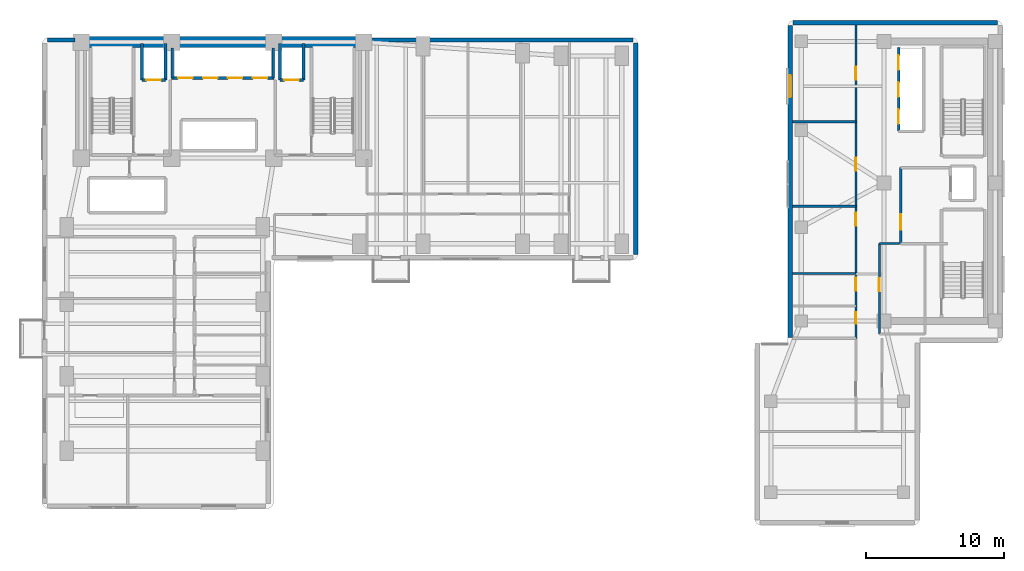
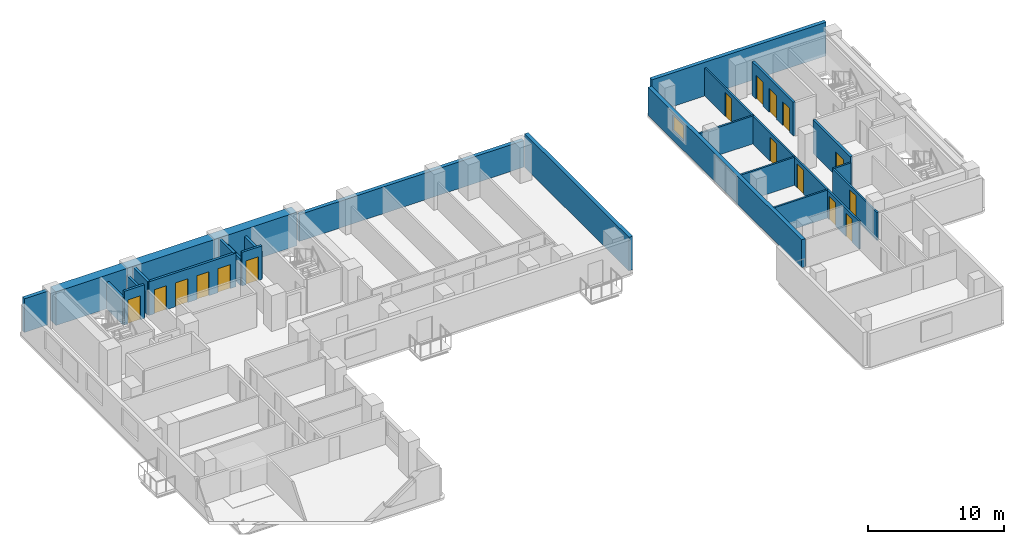
# One storey, part 12 of 17: 23 walls, 16 doors, 1 window, 17 openings.
"""IFC4 building model written with IfcOpenShell, lengths in metres."""

from ifc_helpers import new_model, si_unit, direction, frame, frame_2d, origin, place, context, subcontext, project, spatial, rectangle, extrude, material, layer, layer_set, type_object, element, fill, save


model = new_model("IFC4")

# Units and contexts
model_context = context("Model", 3, precision=1e-05, world=origin(), true_north=direction((0.0, 1.0)))
body_context = subcontext(model_context, "Body", "Model", "MODEL_VIEW")
ifc_project = project(units=[si_unit("LENGTHUNIT", "METRE"), si_unit("AREAUNIT", "SQUARE_METRE"), si_unit("VOLUMEUNIT", "CUBIC_METRE"), si_unit("PLANEANGLEUNIT", "RADIAN"), si_unit("MASSUNIT", "GRAM", prefix="KILO")], contexts=[model_context])

# Site, building, storey
site_placement = place(None, origin())
site = spatial("IfcSite", under=ifc_project, at=site_placement, CompositionType="ELEMENT")
building_placement = place(site_placement, origin())
building = spatial("IfcBuilding", under=site, at=building_placement, Name="Kuzgunbayir Cultural Tower", CompositionType="ELEMENT")
storey_placement = place(building_placement, frame((0.0, 0.0, 56.39990234375)))
storey = spatial("IfcBuildingStorey", under=building, at=storey_placement, Name="L15", CompositionType="ELEMENT", Elevation=56.39990234375)

# Walls
ifc_material_1 = material(Name="Concrete C60/75", Category="concrete")
ifc_layer_1 = layer(ifc_material_1, 0.800048828125)
ifc_layer_set_1 = layer_set([ifc_layer_1], Name="Concrete C60/75")
wall_type_1 = type_object("IfcWallType", Name="WAL-CORE-800", PredefinedType="SHEAR", material=ifc_layer_set_1)
wall_1_placement = place(storey_placement, frame((6.449951171875, 42.199951171875, 0.0), z_axis=(0.0, 0.0, 1.0), x_axis=(1.0, 0.0, 0.0)))
element("IfcWall", 1, at=wall_1_placement, inside=storey, type_object=wall_type_1, Name="L15 T1 Core North Shear Wall", PredefinedType="SHEAR", context=body_context, shape_type="SweptSolid", body=[
    extrude(rectangle(XDim=20.449951171875, YDim=0.800048828125, at=frame_2d((10.22509765625, 0.0))), origin(), (0.0, 0.0, 1.0), 3.02001953125),
])
ifc_material_2 = material(Name="Travertine Buff Ashlar", Category="masonry")
ifc_layer_2 = layer(ifc_material_2, 0.320068359375)
ifc_layer_set_2 = layer_set([ifc_layer_2], Name="Travertine Buff Ashlar")
wall_type_2 = type_object("IfcWallType", Name="WAL-EXT-STONE-320", PredefinedType="STANDARD", material=ifc_layer_set_2)
wall_2_placement = place(storey_placement, frame((46.39990234375, 42.35009765625, 0.0), z_axis=(0.0, 0.0, 1.0), x_axis=(-1.0, 0.0, 0.0)))
element("IfcWall", 2, at=wall_2_placement, inside=storey, type_object=wall_type_2, Name="L15 North Wing B Limestone Wall", PredefinedType="STANDARD", context=body_context, shape_type="SweptSolid", body=[
    extrude(rectangle(XDim=19.0498046875, YDim=0.320068359375, at=frame_2d((9.52490234375, 0.0))), origin(), (0.0, 0.0, 1.0), 2.400146484375),
])
wall_3_placement = place(storey_placement, frame((6.0, 42.35009765625, 0.0), z_axis=(0.0, 0.0, 1.0), x_axis=(-1.0, 0.0, 0.0)))
element("IfcWall", 3, at=wall_3_placement, inside=storey, type_object=wall_type_2, Name="L15 Core North-West Spandrel Link", PredefinedType="STANDARD", context=body_context, shape_type="SweptSolid", body=[
    extrude(rectangle(XDim=2.0, YDim=0.320068359375, at=frame_2d((1.0, 0.0))), origin(), (0.0, 0.0, 1.0), 3.02001953125),
])
wall_4_placement = place(storey_placement, frame((46.60009765625, 26.800048828125, 0.0), z_axis=(0.0, 0.0, 1.0), x_axis=(0.0, 1.0, 0.0)))
element("IfcWall", 4, at=wall_4_placement, inside=storey, type_object=wall_type_2, Name="L15 Wing B East Limestone Wall", PredefinedType="STANDARD", context=body_context, shape_type="SweptSolid", body=[
    extrude(rectangle(XDim=15.349853515625, YDim=0.320068359375, at=frame_2d((7.6748046875, 0.0))), origin(), (0.0, 0.0, 1.0), 3.02001953125),
])

# Wall, opening, window
wall_5_placement = place(storey_placement, frame((57.800048828125, 43.39990234375, 0.0), z_axis=(0.0, 0.0, 1.0), x_axis=(0.0, -1.0, 0.0)))
wall_5 = element("IfcWall", 5, at=wall_5_placement, inside=storey, type_object=wall_type_2, Name="L15 Companion West Limestone Wall", PredefinedType="STANDARD", context=body_context, shape_type="SweptSolid", body=[
    extrude(rectangle(XDim=22.599853515625, YDim=0.320068359375, at=frame_2d((11.2998046875, 0.0))), origin(), (0.0, 0.0, 1.0), 2.510009765625),
])
opening_1_placement = place(wall_5_placement, frame((3.60009765625, 0.0, 0.85009765625)))
opening_1 = element("IfcOpeningElement", 6, at=opening_1_placement, cuts=wall_5, Name="Opening WC-16", PredefinedType="OPENING", context=body_context, shape_type="SweptSolid", body=[
    extrude(rectangle(XDim=1.60009765625, YDim=1.360107421875, at=frame_2d((0.800048828125, 0.68017578125))), frame((0.0, 0.169921875, 0.0), z_axis=(0.0, -1.0, 0.0), x_axis=(1.0, 0.0, 0.0)), (0.0, 0.0, 1.0), 0.340087890625),
])
ifc_material_3 = material(Name="Solar-Control Triple Glazing", Category="glass")
window_type = type_object("IfcWindowType", Name="WIN-COMP-16", PartitioningType="SINGLE_PANEL", PredefinedType="WINDOW", material=ifc_material_3)
window_placement = place(opening_1_placement, origin())
window = element("IfcWindow", 7, at=window_placement, inside=storey, type_object=window_type, Name="L15 Companion West Window 39", OverallHeight=1.360107421875, OverallWidth=1.60009765625, PartitioningType="SINGLE_PANEL", PredefinedType="WINDOW", context=body_context, shape_type="SweptSolid", body=[
    extrude(rectangle(XDim=1.60009765625, YDim=1.360107421875, at=frame_2d((0.800048828125, 0.68017578125))), frame((0.0, 0.030029296875, 0.0), z_axis=(0.0, -1.0, 0.0), x_axis=(1.0, 0.0, 0.0)), (0.0, 0.0, 1.0), 0.06005859375),
])
fill(opening_1, window)

# Wall
wall_6_placement = place(storey_placement, frame((72.800048828125, 43.60009765625, 0.0), z_axis=(0.0, 0.0, 1.0), x_axis=(-1.0, 0.0, 0.0)))
element("IfcWall", 8, at=wall_6_placement, inside=storey, type_object=wall_type_2, Name="L15 Companion North Limestone Wall", PredefinedType="STANDARD", context=body_context, shape_type="SweptSolid", body=[
    extrude(rectangle(XDim=14.800048828125, YDim=0.320068359375, at=frame_2d((7.39990234375, 0.0))), origin(), (0.0, 0.0, 1.0), 3.02001953125),
])

# Wall, opening, door
ifc_material_4 = material(Name="Acoustic Double-Stud Drywall", Category="gypsum")
ifc_layer_3 = layer(ifc_material_4, 0.14990234375)
ifc_layer_set_3 = layer_set([ifc_layer_3], Name="Acoustic Double-Stud Drywall")
wall_type_3 = type_object("IfcWallType", Name="WAL-PART-ACOUSTIC-150", PredefinedType="PARTITIONING", material=ifc_layer_set_3)
wall_7_placement = place(storey_placement, frame((64.25, 21.050048828125, 0.0), z_axis=(0.0, 0.0, 1.0), x_axis=(0.0, 1.0, 0.0)))
wall_7 = element("IfcWall", 9, at=wall_7_placement, inside=storey, type_object=wall_type_3, Name="L15 Companion Archive West Wall", PredefinedType="PARTITIONING", context=body_context, shape_type="SweptSolid", body=[
    extrude(rectangle(XDim=6.550048828125, YDim=0.14990234375, at=frame_2d((3.27490234375, 0.0))), origin(), (0.0, 0.0, 1.0), 2.510009765625),
])
opening_2_placement = place(wall_7_placement, frame((3.10009765625, 0.0, 0.0)))
opening_2 = element("IfcOpeningElement", 10, at=opening_2_placement, cuts=wall_7, Name="Opening DI-90", PredefinedType="OPENING", context=body_context, shape_type="SweptSolid", body=[
    extrude(rectangle(XDim=0.949951171875, YDim=2.14990234375, at=frame_2d((0.47509765625, 1.074951171875))), frame((0.0, 0.0849609375, 0.0), z_axis=(0.0, -1.0, 0.0), x_axis=(1.0, 0.0, 0.0)), (0.0, 0.0, 1.0), 0.169921875),
])
ifc_material_5 = material(Name="Veneered Oak Single Leaf", Category="wood")
door_type_1 = type_object("IfcDoorType", Name="DR-INT-90", OperationType="NOTDEFINED", PredefinedType="DOOR", material=ifc_material_5)
door_1_placement = place(opening_2_placement, origin())
door_1 = element("IfcDoor", 11, at=door_1_placement, inside=storey, type_object=door_type_1, Name="L15 Companion Archive Door", OperationType="SINGLE_SWING_LEFT", OverallHeight=2.14990234375, OverallWidth=0.949951171875, PredefinedType="DOOR", context=body_context, shape_type="SweptSolid", body=[
    extrude(rectangle(XDim=0.949951171875, YDim=2.14990234375, at=frame_2d((0.47509765625, 1.074951171875))), frame((0.0, 0.02490234375, 0.0), z_axis=(0.0, -1.0, 0.0), x_axis=(1.0, 0.0, 0.0)), (0.0, 0.0, 1.0), 0.050048828125),
])
fill(opening_2, door_1)

# Wall
wall_8_placement = place(storey_placement, frame((64.25, 27.60009765625, 0.0), z_axis=(0.0, 0.0, 1.0), x_axis=(1.0, 0.0, 0.0)))
element("IfcWall", 12, at=wall_8_placement, inside=storey, type_object=wall_type_3, Name="L15 Companion Archive North Wall", PredefinedType="PARTITIONING", context=body_context, shape_type="SweptSolid", body=[
    extrude(rectangle(XDim=1.469970703125, YDim=0.14990234375, at=frame_2d((0.73486328125, 0.0))), origin(), (0.0, 0.0, 1.0), 2.510009765625),
])

# Wall, openings, doors
wall_9_placement = place(storey_placement, frame((62.550048828125, 20.75, 0.0), z_axis=(0.0, 0.0, 1.0), x_axis=(0.0, 1.0, 0.0)))
wall_9 = element("IfcWall", 13, at=wall_9_placement, inside=storey, type_object=wall_type_3, Name="L15 Companion Corridor West Wall", PredefinedType="PARTITIONING", context=body_context, shape_type="SweptSolid", body=[
    extrude(rectangle(XDim=22.699951171875, YDim=0.14990234375, at=frame_2d((11.35009765625, 0.0))), origin(), (0.0, 0.0, 1.0), 2.510009765625),
])
opening_3_placement = place(wall_9_placement, frame((1.050048828125, 0.0, 0.0)))
opening_3 = element("IfcOpeningElement", 14, at=opening_3_placement, cuts=wall_9, Name="Opening DW-85", PredefinedType="OPENING", context=body_context, shape_type="SweptSolid", body=[
    extrude(rectangle(XDim=0.85009765625, YDim=2.10009765625, at=frame_2d((0.425048828125, 1.050048828125))), frame((0.0, 0.0849609375, 0.0), z_axis=(0.0, -1.0, 0.0), x_axis=(1.0, 0.0, 0.0)), (0.0, 0.0, 1.0), 0.169921875),
])
opening_4_placement = place(wall_9_placement, frame((3.429931640625, 0.0, 0.0)))
opening_4 = element("IfcOpeningElement", 15, at=opening_4_placement, cuts=wall_9, Name="Opening DW-95", PredefinedType="OPENING", context=body_context, shape_type="SweptSolid", body=[
    extrude(rectangle(XDim=0.949951171875, YDim=2.10009765625, at=frame_2d((0.47509765625, 1.050048828125))), frame((0.0, 0.0849609375, 0.0), z_axis=(0.0, -1.0, 0.0), x_axis=(1.0, 0.0, 0.0)), (0.0, 0.0, 1.0), 0.169921875),
])
opening_5_placement = place(wall_9_placement, frame((8.14990234375, 0.0, 0.0)))
opening_5 = element("IfcOpeningElement", 16, at=opening_5_placement, cuts=wall_9, Name="Opening DI-90", PredefinedType="OPENING", context=body_context, shape_type="SweptSolid", body=[
    extrude(rectangle(XDim=0.949951171875, YDim=2.14990234375, at=frame_2d((0.47509765625, 1.074951171875))), frame((0.0, 0.0849609375, 0.0), z_axis=(0.0, -1.0, 0.0), x_axis=(1.0, 0.0, 0.0)), (0.0, 0.0, 1.0), 0.169921875),
])
opening_6_placement = place(wall_9_placement, frame((12.139892578125, 0.0, 0.0)))
opening_6 = element("IfcOpeningElement", 17, at=opening_6_placement, cuts=wall_9, Name="Opening DI-90", PredefinedType="OPENING", context=body_context, shape_type="SweptSolid", body=[
    extrude(rectangle(XDim=0.949951171875, YDim=2.14990234375, at=frame_2d((0.47509765625, 1.074951171875))), frame((0.0, 0.0849609375, 0.0), z_axis=(0.0, -1.0, 0.0), x_axis=(1.0, 0.0, 0.0)), (0.0, 0.0, 1.0), 0.169921875),
])
opening_7_placement = place(wall_9_placement, frame((18.7099609375, 0.0, 0.0)))
opening_7 = element("IfcOpeningElement", 18, at=opening_7_placement, cuts=wall_9, Name="Opening DI-90", PredefinedType="OPENING", context=body_context, shape_type="SweptSolid", body=[
    extrude(rectangle(XDim=0.949951171875, YDim=2.14990234375, at=frame_2d((0.47509765625, 1.074951171875))), frame((0.0, 0.0849609375, 0.0), z_axis=(0.0, -1.0, 0.0), x_axis=(1.0, 0.0, 0.0)), (0.0, 0.0, 1.0), 0.169921875),
])
door_2_placement = place(opening_5_placement, origin())
door_2 = element("IfcDoor", 19, at=door_2_placement, inside=storey, type_object=door_type_1, Name="L15 Companion Art Publication Salon 1 Door", OperationType="SINGLE_SWING_RIGHT", OverallHeight=2.14990234375, OverallWidth=0.949951171875, PredefinedType="DOOR", context=body_context, shape_type="SweptSolid", body=[
    extrude(rectangle(XDim=0.949951171875, YDim=2.14990234375, at=frame_2d((0.47509765625, 1.074951171875))), frame((0.0, 0.02490234375, 0.0), z_axis=(0.0, -1.0, 0.0), x_axis=(1.0, 0.0, 0.0)), (0.0, 0.0, 1.0), 0.050048828125),
])
fill(opening_5, door_2)
door_3_placement = place(opening_6_placement, origin())
door_3 = element("IfcDoor", 20, at=door_3_placement, inside=storey, type_object=door_type_1, Name="L15 Companion Curatorial Office 2 Door", OperationType="SINGLE_SWING_LEFT", OverallHeight=2.14990234375, OverallWidth=0.949951171875, PredefinedType="DOOR", context=body_context, shape_type="SweptSolid", body=[
    extrude(rectangle(XDim=0.949951171875, YDim=2.14990234375, at=frame_2d((0.47509765625, 1.074951171875))), frame((0.0, 0.02490234375, 0.0), z_axis=(0.0, -1.0, 0.0), x_axis=(1.0, 0.0, 0.0)), (0.0, 0.0, 1.0), 0.050048828125),
])
fill(opening_6, door_3)
door_4_placement = place(opening_7_placement, origin())
door_4 = element("IfcDoor", 21, at=door_4_placement, inside=storey, type_object=door_type_1, Name="L15 Companion Seminar Boardroom 3 Door", OperationType="SINGLE_SWING_RIGHT", OverallHeight=2.14990234375, OverallWidth=0.949951171875, PredefinedType="DOOR", context=body_context, shape_type="SweptSolid", body=[
    extrude(rectangle(XDim=0.949951171875, YDim=2.14990234375, at=frame_2d((0.47509765625, 1.074951171875))), frame((0.0, 0.02490234375, 0.0), z_axis=(0.0, -1.0, 0.0), x_axis=(1.0, 0.0, 0.0)), (0.0, 0.0, 1.0), 0.050048828125),
])
fill(opening_7, door_4)
ifc_material_6 = material(Name="Laminate Moisture-Resistant Leaf", Category="wood")
door_type_2 = type_object("IfcDoorType", Name="DR-WET-85", OperationType="NOTDEFINED", PredefinedType="DOOR", material=ifc_material_6)
door_5_placement = place(opening_3_placement, origin())
door_5 = element("IfcDoor", 22, at=door_5_placement, inside=storey, type_object=door_type_2, Name="L15 Companion WC Door", OperationType="SINGLE_SWING_RIGHT", OverallHeight=2.10009765625, OverallWidth=0.85009765625, PredefinedType="DOOR", context=body_context, shape_type="SweptSolid", body=[
    extrude(rectangle(XDim=0.85009765625, YDim=2.10009765625, at=frame_2d((0.425048828125, 1.050048828125))), frame((0.0, 0.02490234375, 0.0), z_axis=(0.0, -1.0, 0.0), x_axis=(1.0, 0.0, 0.0)), (0.0, 0.0, 1.0), 0.050048828125),
])
fill(opening_3, door_5)
door_type_3 = type_object("IfcDoorType", Name="DR-WET-95", OperationType="NOTDEFINED", PredefinedType="DOOR", material=ifc_material_6)
door_6_placement = place(opening_4_placement, origin())
door_6 = element("IfcDoor", 23, at=door_6_placement, inside=storey, type_object=door_type_3, Name="L15 Companion Accessible WC Door", OperationType="SINGLE_SWING_LEFT", OverallHeight=2.10009765625, OverallWidth=0.949951171875, PredefinedType="DOOR", context=body_context, shape_type="SweptSolid", body=[
    extrude(rectangle(XDim=0.949951171875, YDim=2.10009765625, at=frame_2d((0.47509765625, 1.050048828125))), frame((0.0, 0.02490234375, 0.0), z_axis=(0.0, -1.0, 0.0), x_axis=(1.0, 0.0, 0.0)), (0.0, 0.0, 1.0), 0.050048828125),
])
fill(opening_4, door_6)

# Walls
for number, where, z_axis, x_axis, name in (
    (24, (57.949951171875, 30.31005859375, 0.0), (0.0, 0.0, 1.0), (1.0, 0.0, 0.0), "L15 Companion Studio Partition 1"),
    (25, (57.949951171875, 36.429931640625, 0.0), (0.0, 0.0, 1.0), (1.0, 0.0, 0.0), "L15 Companion Studio Partition 2"),
):
    element("IfcWall", number, at=place(storey_placement, frame(where, z_axis=z_axis, x_axis=x_axis)), inside=storey, type_object=wall_type_3, Name=name, PredefinedType="PARTITIONING", context=body_context, shape_type="SweptSolid", body=[
        extrude(rectangle(XDim=4.60009765625, YDim=0.14990234375, at=frame_2d((2.300048828125, 0.0))), origin(), (0.0, 0.0, 1.0), 2.510009765625),
    ])

# Wall, opening, door
ifc_material_7 = material(Name="Aerated Concrete Blockwork", Category="masonry")
ifc_layer_4 = layer(ifc_material_7, 0.199951171875)
ifc_layer_set_4 = layer_set([ifc_layer_4], Name="Aerated Concrete Blockwork")
wall_type_4 = type_object("IfcWallType", Name="WAL-PART-FIRE-200", PredefinedType="PARTITIONING", material=ifc_layer_set_4)
wall_10_placement = place(storey_placement, frame((65.800048828125, 27.60009765625, 0.0), z_axis=(0.0, 0.0, 1.0), x_axis=(0.0, 1.0, 0.0)))
wall_10 = element("IfcWall", 26, at=wall_10_placement, inside=storey, type_object=wall_type_4, Name="L15 FFL-3 Lobby West Fire Wall", PredefinedType="PARTITIONING", context=body_context, shape_type="SweptSolid", body=[
    extrude(rectangle(XDim=5.5, YDim=0.199951171875, at=frame_2d((2.75, 0.0))), origin(), (0.0, 0.0, 1.0), 3.02001953125),
])
opening_8_placement = place(wall_10_placement, frame((1.0, 0.0, 0.0)))
opening_8 = element("IfcOpeningElement", 27, at=opening_8_placement, cuts=wall_10, Name="Opening DR-FFL-90", PredefinedType="OPENING", context=body_context, shape_type="SweptSolid", body=[
    extrude(rectangle(XDim=1.14990234375, YDim=2.14990234375, at=frame_2d((0.574951171875, 1.074951171875))), frame((0.0, 0.10986328125, 0.0), z_axis=(0.0, -1.0, 0.0), x_axis=(1.0, 0.0, 0.0)), (0.0, 0.0, 1.0), 0.219970703125),
])
ifc_material_8 = material(Name="Steel S355J2", Category="steel")
door_type_4 = type_object("IfcDoorType", Name="DR-FFL-90", OperationType="NOTDEFINED", PredefinedType="DOOR", material=ifc_material_8)
door_7_placement = place(opening_8_placement, origin())
door_7 = element("IfcDoor", 28, at=door_7_placement, inside=storey, type_object=door_type_4, Name="L15 Firefighting Lobby 3 Door", OperationType="SINGLE_SWING_RIGHT", OverallHeight=2.14990234375, OverallWidth=1.14990234375, PredefinedType="DOOR", context=body_context, shape_type="SweptSolid", body=[
    extrude(rectangle(XDim=1.14990234375, YDim=2.14990234375, at=frame_2d((0.574951171875, 1.074951171875))), frame((0.0, 0.02490234375, 0.0), z_axis=(0.0, -1.0, 0.0), x_axis=(1.0, 0.0, 0.0)), (0.0, 0.0, 1.0), 0.050048828125),
])
fill(opening_8, door_7)

# Wall
ifc_material_9 = material(Name="Moisture-Resistant Tile Partition", Category="gypsum")
ifc_layer_5 = layer(ifc_material_9, 0.14990234375)
ifc_layer_set_5 = layer_set([ifc_layer_5], Name="Moisture-Resistant Tile Partition")
wall_type_5 = type_object("IfcWallType", Name="WAL-PART-WET-150", PredefinedType="PARTITIONING", material=ifc_layer_set_5)
wall_11_placement = place(storey_placement, frame((57.949951171875, 25.449951171875, 0.0), z_axis=(0.0, 0.0, 1.0), x_axis=(1.0, 0.0, 0.0)))
element("IfcWall", 29, at=wall_11_placement, inside=storey, type_object=wall_type_5, Name="L15 Companion Accessible WC Wall", PredefinedType="PARTITIONING", context=body_context, shape_type="SweptSolid", body=[
    extrude(rectangle(XDim=4.60009765625, YDim=0.14990234375, at=frame_2d((2.300048828125, 0.0))), origin(), (0.0, 0.0, 1.0), 2.510009765625),
])

# Wall, opening, door
ifc_material_10 = material(Name="Concrete C40/50", Category="concrete")
ifc_layer_6 = layer(ifc_material_10, 0.199951171875)
ifc_layer_set_6 = layer_set([ifc_layer_6], Name="Concrete C40/50")
wall_type_6 = type_object("IfcWallType", Name="WAL-SHAFT-200", PredefinedType="MOVABLE", material=ifc_layer_set_6)
wall_12_placement = place(storey_placement, frame((10.85009765625, 39.449951171875, 0.0), z_axis=(0.0, 0.0, 1.0), x_axis=(1.0, 0.0, 0.0)))
wall_12 = element("IfcWall", 30, at=wall_12_placement, inside=storey, type_object=wall_type_6, Name="L15 FFL-1 Lift Front Wall", PredefinedType="MOVABLE", context=body_context, shape_type="SweptSolid", body=[
    extrude(rectangle(XDim=1.699951171875, YDim=0.199951171875, at=frame_2d((0.85009765625, 0.0))), origin(), (0.0, 0.0, 1.0), 3.02001953125),
])
opening_9_placement = place(wall_12_placement, frame((0.320068359375, 0.0, 0.0)))
opening_9 = element("IfcOpeningElement", 31, at=opening_9_placement, cuts=wall_12, Name="Opening LD", PredefinedType="OPENING", context=body_context, shape_type="SweptSolid", body=[
    extrude(rectangle(XDim=1.050048828125, YDim=2.14990234375, at=frame_2d((0.52490234375, 1.074951171875))), frame((0.0, 0.10986328125, 0.0), z_axis=(0.0, -1.0, 0.0), x_axis=(1.0, 0.0, 0.0)), (0.0, 0.0, 1.0), 0.219970703125),
])
ifc_material_11 = material(Name="Brushed Stainless Steel", Category="steel")
door_type_5 = type_object("IfcDoorType", Name="DR-LIFT-LANDING", OperationType="SLIDING_TO_LEFT", PredefinedType="DOOR", material=ifc_material_11)
door_8_placement = place(opening_9_placement, origin())
door_8 = element("IfcDoor", 32, at=door_8_placement, inside=storey, type_object=door_type_5, Name="L15 Lift FFL-1 Landing Door", OperationType="SLIDING_TO_LEFT", OverallHeight=2.14990234375, OverallWidth=1.050048828125, PredefinedType="DOOR", context=body_context, shape_type="SweptSolid", body=[
    extrude(rectangle(XDim=1.050048828125, YDim=2.14990234375, at=frame_2d((0.52490234375, 1.074951171875))), frame((0.0, 0.02490234375, 0.0), z_axis=(0.0, -1.0, 0.0), x_axis=(1.0, 0.0, 0.0)), (0.0, 0.0, 1.0), 0.050048828125),
])
fill(opening_9, door_8)

wall_13_placement = place(storey_placement, frame((20.85009765625, 39.449951171875, 0.0), z_axis=(0.0, 0.0, 1.0), x_axis=(1.0, 0.0, 0.0)))
wall_13 = element("IfcWall", 33, at=wall_13_placement, inside=storey, type_object=wall_type_6, Name="L15 FFL-2 Lift Front Wall", PredefinedType="MOVABLE", context=body_context, shape_type="SweptSolid", body=[
    extrude(rectangle(XDim=1.699951171875, YDim=0.199951171875, at=frame_2d((0.85009765625, 0.0))), origin(), (0.0, 0.0, 1.0), 3.02001953125),
])
opening_10_placement = place(wall_13_placement, frame((0.320068359375, 0.0, 0.0)))
opening_10 = element("IfcOpeningElement", 34, at=opening_10_placement, cuts=wall_13, Name="Opening LD", PredefinedType="OPENING", context=body_context, shape_type="SweptSolid", body=[
    extrude(rectangle(XDim=1.050048828125, YDim=2.14990234375, at=frame_2d((0.52490234375, 1.074951171875))), frame((0.0, 0.10986328125, 0.0), z_axis=(0.0, -1.0, 0.0), x_axis=(1.0, 0.0, 0.0)), (0.0, 0.0, 1.0), 0.219970703125),
])
door_9_placement = place(opening_10_placement, origin())
door_9 = element("IfcDoor", 35, at=door_9_placement, inside=storey, type_object=door_type_5, Name="L15 Lift FFL-2 Landing Door", OperationType="SLIDING_TO_LEFT", OverallHeight=2.14990234375, OverallWidth=1.050048828125, PredefinedType="DOOR", context=body_context, shape_type="SweptSolid", body=[
    extrude(rectangle(XDim=1.050048828125, YDim=2.14990234375, at=frame_2d((0.52490234375, 1.074951171875))), frame((0.0, 0.02490234375, 0.0), z_axis=(0.0, -1.0, 0.0), x_axis=(1.0, 0.0, 0.0)), (0.0, 0.0, 1.0), 0.050048828125),
])
fill(opening_10, door_9)

# Walls
for number, where, z_axis, x_axis, name in (
    (36, (10.85009765625, 39.449951171875, 0.0), (0.0, 0.0, 1.0), (0.0, 1.0, 0.0), "L15 FFL-1 Shaft West Wall"),
    (37, (12.550048828125, 39.449951171875, 0.0), (0.0, 0.0, 1.0), (0.0, 1.0, 0.0), "L15 FFL-1 Shaft East Wall"),
    (38, (20.85009765625, 39.449951171875, 0.0), (0.0, 0.0, 1.0), (0.0, 1.0, 0.0), "L15 FFL-2 Shaft West Wall"),
    (39, (22.550048828125, 39.449951171875, 0.0), (0.0, 0.0, 1.0), (0.0, 1.0, 0.0), "L15 FFL-2 Shaft East Wall"),
):
    element("IfcWall", number, at=place(storey_placement, frame(where, z_axis=z_axis, x_axis=x_axis)), inside=storey, type_object=wall_type_6, Name=name, PredefinedType="MOVABLE", context=body_context, shape_type="SweptSolid", body=[
        extrude(rectangle(XDim=2.650146484375, YDim=0.199951171875, at=frame_2d((1.3251953125, 0.0))), origin(), (0.0, 0.0, 1.0), 2.400146484375),
    ])

# Wall, openings, doors
wall_14_placement = place(storey_placement, frame((13.0, 39.60009765625, 0.0), z_axis=(0.0, 0.0, 1.0), x_axis=(1.0, 0.0, 0.0)))
wall_14 = element("IfcWall", 40, at=wall_14_placement, inside=storey, type_object=wall_type_6, Name="L15 Low-Rise Lift Front Wall", PredefinedType="MOVABLE", context=body_context, shape_type="SweptSolid", body=[
    extrude(rectangle(XDim=7.39990234375, YDim=0.199951171875, at=frame_2d((3.699951171875, 0.0))), origin(), (0.0, 0.0, 1.0), 3.02001953125),
])
opening_11_placement = place(wall_14_placement, frame((0.469970703125, 0.0, 0.0)))
opening_11 = element("IfcOpeningElement", 41, at=opening_11_placement, cuts=wall_14, Name="Opening LD", PredefinedType="OPENING", context=body_context, shape_type="SweptSolid", body=[
    extrude(rectangle(XDim=1.050048828125, YDim=2.14990234375, at=frame_2d((0.52490234375, 1.074951171875))), frame((0.0, 0.10986328125, 0.0), z_axis=(0.0, -1.0, 0.0), x_axis=(1.0, 0.0, 0.0)), (0.0, 0.0, 1.0), 0.219970703125),
])
opening_12_placement = place(wall_14_placement, frame((2.280029296875, 0.0, 0.0)))
opening_12 = element("IfcOpeningElement", 42, at=opening_12_placement, cuts=wall_14, Name="Opening LD", PredefinedType="OPENING", context=body_context, shape_type="SweptSolid", body=[
    extrude(rectangle(XDim=1.050048828125, YDim=2.14990234375, at=frame_2d((0.52490234375, 1.074951171875))), frame((0.0, 0.10986328125, 0.0), z_axis=(0.0, -1.0, 0.0), x_axis=(1.0, 0.0, 0.0)), (0.0, 0.0, 1.0), 0.219970703125),
])
opening_13_placement = place(wall_14_placement, frame((4.080078125, 0.0, 0.0)))
opening_13 = element("IfcOpeningElement", 43, at=opening_13_placement, cuts=wall_14, Name="Opening LD", PredefinedType="OPENING", context=body_context, shape_type="SweptSolid", body=[
    extrude(rectangle(XDim=1.050048828125, YDim=2.14990234375, at=frame_2d((0.52490234375, 1.074951171875))), frame((0.0, 0.10986328125, 0.0), z_axis=(0.0, -1.0, 0.0), x_axis=(1.0, 0.0, 0.0)), (0.0, 0.0, 1.0), 0.219970703125),
])
opening_14_placement = place(wall_14_placement, frame((5.8798828125, 0.0, 0.0)))
opening_14 = element("IfcOpeningElement", 44, at=opening_14_placement, cuts=wall_14, Name="Opening LD", PredefinedType="OPENING", context=body_context, shape_type="SweptSolid", body=[
    extrude(rectangle(XDim=1.050048828125, YDim=2.14990234375, at=frame_2d((0.52490234375, 1.074951171875))), frame((0.0, 0.10986328125, 0.0), z_axis=(0.0, -1.0, 0.0), x_axis=(1.0, 0.0, 0.0)), (0.0, 0.0, 1.0), 0.219970703125),
])
door_10_placement = place(opening_11_placement, origin())
door_10 = element("IfcDoor", 45, at=door_10_placement, inside=storey, type_object=door_type_5, Name="L15 Lift PL-1 Landing Door", OperationType="SLIDING_TO_LEFT", OverallHeight=2.14990234375, OverallWidth=1.050048828125, PredefinedType="DOOR", context=body_context, shape_type="SweptSolid", body=[
    extrude(rectangle(XDim=1.050048828125, YDim=2.14990234375, at=frame_2d((0.52490234375, 1.074951171875))), frame((0.0, 0.02490234375, 0.0), z_axis=(0.0, -1.0, 0.0), x_axis=(1.0, 0.0, 0.0)), (0.0, 0.0, 1.0), 0.050048828125),
])
fill(opening_11, door_10)
door_11_placement = place(opening_12_placement, origin())
door_11 = element("IfcDoor", 46, at=door_11_placement, inside=storey, type_object=door_type_5, Name="L15 Lift PL-2 Landing Door", OperationType="SLIDING_TO_LEFT", OverallHeight=2.14990234375, OverallWidth=1.050048828125, PredefinedType="DOOR", context=body_context, shape_type="SweptSolid", body=[
    extrude(rectangle(XDim=1.050048828125, YDim=2.14990234375, at=frame_2d((0.52490234375, 1.074951171875))), frame((0.0, 0.02490234375, 0.0), z_axis=(0.0, -1.0, 0.0), x_axis=(1.0, 0.0, 0.0)), (0.0, 0.0, 1.0), 0.050048828125),
])
fill(opening_12, door_11)
door_12_placement = place(opening_13_placement, origin())
door_12 = element("IfcDoor", 47, at=door_12_placement, inside=storey, type_object=door_type_5, Name="L15 Lift PL-3 Landing Door", OperationType="SLIDING_TO_LEFT", OverallHeight=2.14990234375, OverallWidth=1.050048828125, PredefinedType="DOOR", context=body_context, shape_type="SweptSolid", body=[
    extrude(rectangle(XDim=1.050048828125, YDim=2.14990234375, at=frame_2d((0.52490234375, 1.074951171875))), frame((0.0, 0.02490234375, 0.0), z_axis=(0.0, -1.0, 0.0), x_axis=(1.0, 0.0, 0.0)), (0.0, 0.0, 1.0), 0.050048828125),
])
fill(opening_13, door_12)
door_13_placement = place(opening_14_placement, origin())
door_13 = element("IfcDoor", 48, at=door_13_placement, inside=storey, type_object=door_type_5, Name="L15 Lift PL-4 Landing Door", OperationType="SLIDING_TO_LEFT", OverallHeight=2.14990234375, OverallWidth=1.050048828125, PredefinedType="DOOR", context=body_context, shape_type="SweptSolid", body=[
    extrude(rectangle(XDim=1.050048828125, YDim=2.14990234375, at=frame_2d((0.52490234375, 1.074951171875))), frame((0.0, 0.02490234375, 0.0), z_axis=(0.0, -1.0, 0.0), x_axis=(1.0, 0.0, 0.0)), (0.0, 0.0, 1.0), 0.050048828125),
])
fill(opening_14, door_13)

# Walls
for number, where, z_axis, x_axis, name in (
    (49, (13.050048828125, 39.60009765625, 0.0), (0.0, 0.0, 1.0), (0.0, 1.0, 0.0), "L15 Low-Rise Lift Shaft West Wall"),
    (50, (20.35009765625, 39.60009765625, 0.0), (0.0, 0.0, 1.0), (0.0, 1.0, 0.0), "L15 Low-Rise Lift Shaft East Wall"),
):
    element("IfcWall", number, at=place(storey_placement, frame(where, z_axis=z_axis, x_axis=x_axis)), inside=storey, type_object=wall_type_6, Name=name, PredefinedType="MOVABLE", context=body_context, shape_type="SweptSolid", body=[
        extrude(rectangle(XDim=2.179931640625, YDim=0.199951171875, at=frame_2d((1.08984375, 0.0))), origin(), (0.0, 0.0, 1.0), 3.02001953125),
    ])

# Wall, openings, doors
wall_15_placement = place(storey_placement, frame((65.64990234375, 35.75, 0.0), z_axis=(0.0, 0.0, 1.0), x_axis=(0.0, 1.0, 0.0)))
wall_15 = element("IfcWall", 51, at=wall_15_placement, inside=storey, type_object=wall_type_6, Name="L15 Companion Lift Front Wall", PredefinedType="MOVABLE", context=body_context, shape_type="SweptSolid", body=[
    extrude(rectangle(XDim=6.050048828125, YDim=0.199951171875, at=frame_2d((3.02490234375, 0.0))), origin(), (0.0, 0.0, 1.0), 3.02001953125),
])
opening_15_placement = place(wall_15_placement, frame((0.52001953125, 0.0, 0.0)))
opening_15 = element("IfcOpeningElement", 52, at=opening_15_placement, cuts=wall_15, Name="Opening LD", PredefinedType="OPENING", context=body_context, shape_type="SweptSolid", body=[
    extrude(rectangle(XDim=1.050048828125, YDim=2.14990234375, at=frame_2d((0.52490234375, 1.074951171875))), frame((0.0, 0.10986328125, 0.0), z_axis=(0.0, -1.0, 0.0), x_axis=(1.0, 0.0, 0.0)), (0.0, 0.0, 1.0), 0.219970703125),
])
opening_16_placement = place(wall_15_placement, frame((2.47998046875, 0.0, 0.0)))
opening_16 = element("IfcOpeningElement", 53, at=opening_16_placement, cuts=wall_15, Name="Opening LD", PredefinedType="OPENING", context=body_context, shape_type="SweptSolid", body=[
    extrude(rectangle(XDim=1.050048828125, YDim=2.14990234375, at=frame_2d((0.52490234375, 1.074951171875))), frame((0.0, 0.10986328125, 0.0), z_axis=(0.0, -1.0, 0.0), x_axis=(1.0, 0.0, 0.0)), (0.0, 0.0, 1.0), 0.219970703125),
])
opening_17_placement = place(wall_15_placement, frame((4.429931640625, 0.0, 0.0)))
opening_17 = element("IfcOpeningElement", 54, at=opening_17_placement, cuts=wall_15, Name="Opening LD", PredefinedType="OPENING", context=body_context, shape_type="SweptSolid", body=[
    extrude(rectangle(XDim=1.050048828125, YDim=2.14990234375, at=frame_2d((0.52490234375, 1.074951171875))), frame((0.0, 0.10986328125, 0.0), z_axis=(0.0, -1.0, 0.0), x_axis=(1.0, 0.0, 0.0)), (0.0, 0.0, 1.0), 0.219970703125),
])
door_14_placement = place(opening_15_placement, origin())
door_14 = element("IfcDoor", 55, at=door_14_placement, inside=storey, type_object=door_type_5, Name="L15 Lift PC-1 Landing Door", OperationType="SLIDING_TO_LEFT", OverallHeight=2.14990234375, OverallWidth=1.050048828125, PredefinedType="DOOR", context=body_context, shape_type="SweptSolid", body=[
    extrude(rectangle(XDim=1.050048828125, YDim=2.14990234375, at=frame_2d((0.52490234375, 1.074951171875))), frame((0.0, 0.02490234375, 0.0), z_axis=(0.0, -1.0, 0.0), x_axis=(1.0, 0.0, 0.0)), (0.0, 0.0, 1.0), 0.050048828125),
])
fill(opening_15, door_14)
door_15_placement = place(opening_16_placement, origin())
door_15 = element("IfcDoor", 56, at=door_15_placement, inside=storey, type_object=door_type_5, Name="L15 Lift PC-2 Landing Door", OperationType="SLIDING_TO_LEFT", OverallHeight=2.14990234375, OverallWidth=1.050048828125, PredefinedType="DOOR", context=body_context, shape_type="SweptSolid", body=[
    extrude(rectangle(XDim=1.050048828125, YDim=2.14990234375, at=frame_2d((0.52490234375, 1.074951171875))), frame((0.0, 0.02490234375, 0.0), z_axis=(0.0, -1.0, 0.0), x_axis=(1.0, 0.0, 0.0)), (0.0, 0.0, 1.0), 0.050048828125),
])
fill(opening_16, door_15)
door_16_placement = place(opening_17_placement, origin())
door_16 = element("IfcDoor", 57, at=door_16_placement, inside=storey, type_object=door_type_5, Name="L15 Lift PC-3 Landing Door", OperationType="SLIDING_TO_LEFT", OverallHeight=2.14990234375, OverallWidth=1.050048828125, PredefinedType="DOOR", context=body_context, shape_type="SweptSolid", body=[
    extrude(rectangle(XDim=1.050048828125, YDim=2.14990234375, at=frame_2d((0.52490234375, 1.074951171875))), frame((0.0, 0.02490234375, 0.0), z_axis=(0.0, -1.0, 0.0), x_axis=(1.0, 0.0, 0.0)), (0.0, 0.0, 1.0), 0.050048828125),
])
fill(opening_17, door_16)

save(model, "model.ifc")
